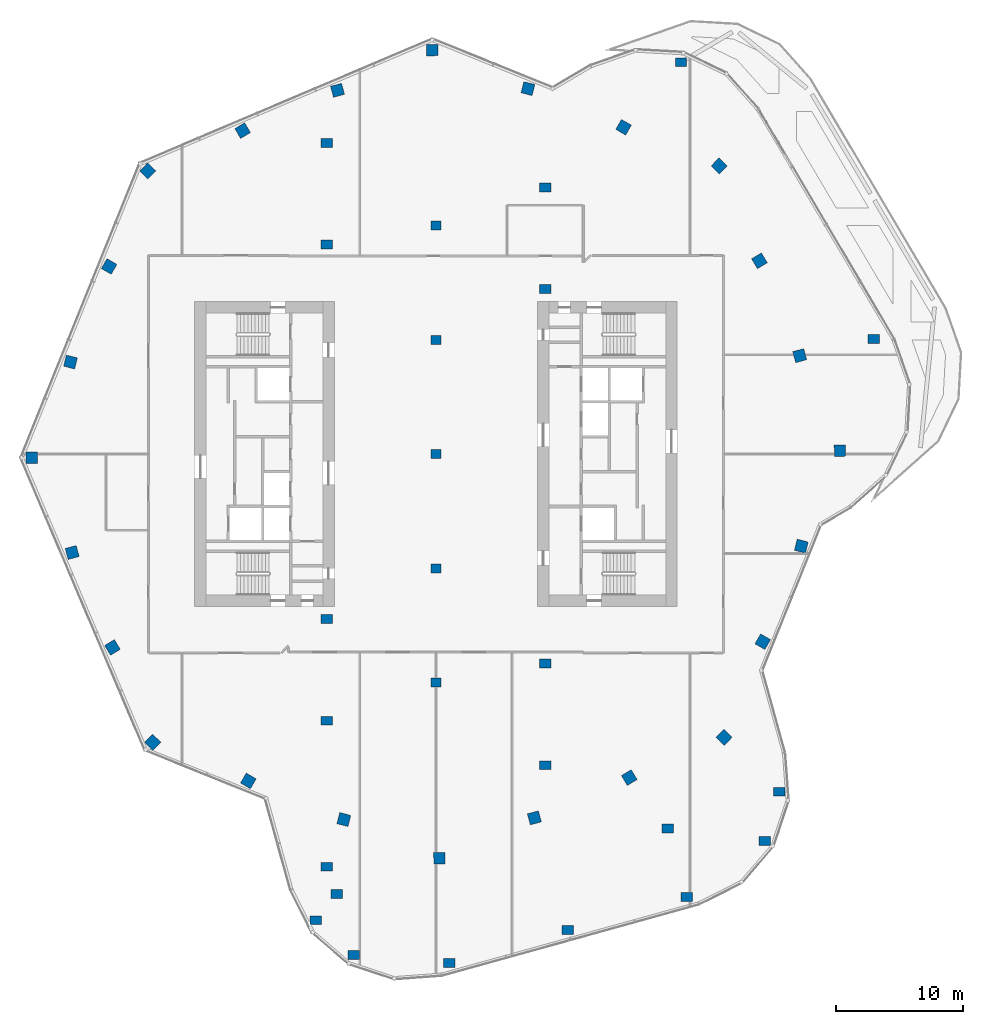
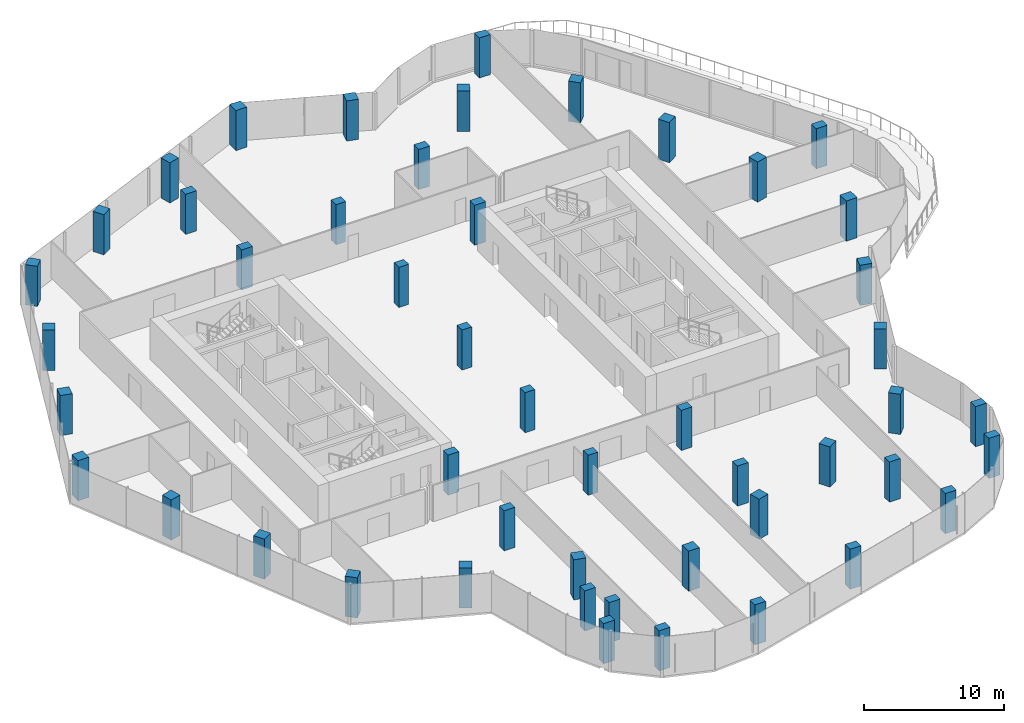
# One storey, part 1 of 17: 49 columns.
"""IFC4 building model written with IfcOpenShell, lengths in metres."""

from ifc_helpers import new_model, si_unit, direction, frame, origin, origin_2d, place, context, subcontext, project, spatial, rectangle, extrude, material, material_profile, profile_set, type_object, element, save


model = new_model("IFC4")

# Units and contexts
model_context = context("Model", 3, precision=1e-05, world=origin(), true_north=direction((0.0, 1.0)))
body_context = subcontext(model_context, "Body", "Model", "MODEL_VIEW")
ifc_project = project(units=[si_unit("LENGTHUNIT", "METRE"), si_unit("AREAUNIT", "SQUARE_METRE"), si_unit("VOLUMEUNIT", "CUBIC_METRE"), si_unit("PLANEANGLEUNIT", "RADIAN"), si_unit("MASSUNIT", "GRAM", prefix="KILO")], contexts=[model_context])

# Site, building, storey
site_placement = place(None, origin())
site = spatial("IfcSite", under=ifc_project, at=site_placement, CompositionType="ELEMENT")
building_placement = place(site_placement, origin())
building = spatial("IfcBuilding", under=site, at=building_placement, Name="Orlundy Tower", CompositionType="ELEMENT")
storey_placement = place(building_placement, frame((0.0, 0.0, 289.39990234375)))
storey = spatial("IfcBuildingStorey", under=building, at=storey_placement, Name="L77", CompositionType="ELEMENT", Elevation=289.39990234375)

# Columns
ifc_material_1 = material(Name="Concrete C50/60", Category="concrete")
ifc_material_profile_1 = material_profile(ifc_material_1, rectangle(XDim=0.800048828125, YDim=0.699951171875, at=origin_2d()), Name="RC800X700")
ifc_profile_set_1 = profile_set([ifc_material_profile_1], Name="Concrete C50/60")
column_type_1 = type_object("IfcColumnType", Name="RC COLUMN RC800X700 C50/60", PredefinedType="COLUMN", material=ifc_profile_set_1)
for number, where, z_axis, x_axis, name in (
    (1, (0.0, -18.0, 0.0), (0.0, 0.0, 1.0), (1.0, 0.0, 0.0), "Column C-M1 L77"),
    (2, (0.0, -9.0, 0.0), (0.0, 0.0, 1.0), (1.0, 0.0, 0.0), "Column C-M2 L77"),
    (3, (0.0, 0.0, 0.0), (0.0, 0.0, 1.0), (1.0, 0.0, 0.0), "Column C-M3 L77"),
    (4, (0.0, 9.0, 0.0), (0.0, 0.0, 1.0), (1.0, 0.0, 0.0), "Column C-M4 L77"),
    (5, (0.0, 18.0, 0.0), (0.0, 0.0, 1.0), (1.0, 0.0, 0.0), "Column C-M5 L77"),
):
    element("IfcColumn", number, at=place(storey_placement, frame(where, z_axis=z_axis, x_axis=x_axis)), inside=storey, type_object=column_type_1, Name=name, PredefinedType="COLUMN", context=body_context, shape_type="SweptSolid", body=[
        extrude(rectangle(XDim=0.800048828125, YDim=0.699951171875, at=origin_2d()), origin(), (0.0, 0.0, 1.0), 3.5),
    ])
ifc_material_2 = material(Name="Concrete C50/60", Category="concrete")
ifc_material_profile_2 = material_profile(ifc_material_2, rectangle(XDim=0.89990234375, YDim=0.699951171875, at=origin_2d()), Name="RC900X700")
ifc_profile_set_2 = profile_set([ifc_material_profile_2], Name="Concrete C50/60")
column_type_2 = type_object("IfcColumnType", Name="RC COLUMN RC900X700 C50/60", PredefinedType="COLUMN", material=ifc_profile_set_2)
for number, where, z_axis, x_axis, name in (
    (6, (34.47705078125, 9.051025390625, 0.0), (0.0, 0.0, 1.0), (1.0, 0.0, 0.0), "Column C-A2-6 L77"),
    (7, (19.302001953125, 30.860107421875, 0.0), (0.0, 0.0, 1.0), (1.0, 0.0, 0.0), "Column C-A5-6 L77"),
    (8, (-9.468017578125, -36.7080078125, 0.0), (0.0, 0.0, 1.0), (1.0, 0.0, 0.0), "Column C-B1-1 L77"),
    (9, (-6.48388671875, -39.4609375, 0.0), (0.0, 0.0, 1.0), (1.0, 0.0, 0.0), "Column C-B1-5 L77"),
    (10, (-7.820068359375, -34.64306640625, 0.0), (0.0, 0.0, 1.0), (1.0, 0.0, 0.0), "Column C-B1-6 L77"),
    (11, (1.048095703125, -40.076904296875, 0.0), (0.0, 0.0, 1.0), (1.0, 0.0, 0.0), "Column C-B2-5 L77"),
    (12, (10.39599609375, -37.485107421875, 0.0), (0.0, 0.0, 1.0), (1.0, 0.0, 0.0), "Column C-B3-5 L77"),
    (13, (19.742919921875, -34.89306640625, 0.0), (0.0, 0.0, 1.0), (1.0, 0.0, 0.0), "Column C-B4-5 L77"),
    (14, (18.24609375, -29.4970703125, 0.0), (0.0, 0.0, 1.0), (1.0, 0.0, 0.0), "Column C-B4-6 L77"),
    (15, (27.02197265625, -26.589111328125, 0.0), (0.0, 0.0, 1.0), (1.0, 0.0, 0.0), "Column C-B5-1 L77"),
    (16, (25.881103515625, -30.485107421875, 0.0), (0.0, 0.0, 1.0), (1.0, 0.0, 0.0), "Column C-B5-5 L77"),
    (17, (8.60009765625, -24.5, 0.0), (0.0, 0.0, 1.0), (1.0, 0.0, 0.0), "Column C-SE2 L77"),
    (18, (8.60009765625, -16.5, 0.0), (0.0, 0.0, 1.0), (1.0, 0.0, 0.0), "Column C-SE3 L77"),
    (19, (8.60009765625, 13.0, 0.0), (0.0, 0.0, 1.0), (1.0, 0.0, 0.0), "Column C-SE4 L77"),
    (20, (8.60009765625, 21.0, 0.0), (0.0, 0.0, 1.0), (1.0, 0.0, 0.0), "Column C-SE5 L77"),
    (21, (-8.60009765625, 24.5, 0.0), (0.0, 0.0, 1.0), (1.0, 0.0, 0.0), "Column C-SW1 L77"),
    (22, (-8.60009765625, 16.5, 0.0), (0.0, 0.0, 1.0), (1.0, 0.0, 0.0), "Column C-SW2 L77"),
    (23, (-8.60009765625, -13.0, 0.0), (0.0, 0.0, 1.0), (1.0, 0.0, 0.0), "Column C-SW3 L77"),
    (24, (-8.60009765625, -21.0, 0.0), (0.0, 0.0, 1.0), (1.0, 0.0, 0.0), "Column C-SW4 L77"),
    (25, (-8.60009765625, -32.5, 0.0), (0.0, 0.0, 1.0), (1.0, 0.0, 0.0), "Column C-SW5 L77"),
):
    element("IfcColumn", number, at=place(storey_placement, frame(where, z_axis=z_axis, x_axis=x_axis)), inside=storey, type_object=column_type_2, Name=name, PredefinedType="COLUMN", context=body_context, shape_type="SweptSolid", body=[
        extrude(rectangle(XDim=0.89990234375, YDim=0.699951171875, at=origin_2d()), origin(), (0.0, 0.0, 1.0), 3.5),
    ])
ifc_material_3 = material(Name="Concrete C50/60", Category="concrete")
ifc_material_profile_3 = material_profile(ifc_material_3, rectangle(XDim=0.89990234375, YDim=0.89990234375, at=origin_2d()), Name="RC900X900")
ifc_profile_set_3 = profile_set([ifc_material_profile_3], Name="Concrete C50/60")
column_type_3 = type_object("IfcColumnType", Name="RC COLUMN RC900X900 C50/60", PredefinedType="COLUMN", material=ifc_profile_set_3)
for number, where, z_axis, x_axis, name in (
    (26, (-0.278076171875, 31.821044921875, 0.0), (0.0, 0.0, 1.0), (-0.008743988125, 0.999961770605, 0.0), "Column C-H01 L77"),
    (27, (7.25, 28.780029296875, 0.0), (0.0, 0.0, 1.0), (0.244275126238, 0.969705967137, 0.0), "Column C-H02 L77"),
    (28, (14.777099609375, 25.739013671875, 0.0), (0.0, 0.0, 1.0), (0.49789754642, 0.867235857924, 0.0), "Column C-H03 L77"),
    (29, (22.304931640625, 22.697021484375, 0.0), (0.0, 0.0, 1.0), (0.700921712762, 0.713238215871, 0.0), "Column C-H04 L77"),
    (30, (25.47705078125, 15.22412109375, 0.0), (0.0, 0.0, 1.0), (0.858414263358, 0.512957066881, 0.0), "Column C-H05 L77"),
    (31, (28.64892578125, 7.7509765625, 0.0), (0.0, 0.0, 1.0), (0.965295087436, 0.261161624617, 0.0), "Column C-H06 L77"),
    (32, (31.821044921875, 0.278076171875, 0.0), (0.0, 0.0, 1.0), (0.999961770605, 0.008743988125, 0.0), "Column C-H07 L77"),
    (33, (28.780029296875, -7.25, 0.0), (0.0, 0.0, 1.0), (0.969705967137, -0.244275126238, 0.0), "Column C-H08 L77"),
    (34, (25.739013671875, -14.777099609375, 0.0), (0.0, 0.0, 1.0), (0.867235857924, -0.49789754642, 0.0), "Column C-H09 L77"),
    (35, (22.697021484375, -22.304931640625, 0.0), (0.0, 0.0, 1.0), (0.713238215871, -0.700921712762, 0.0), "Column C-H10 L77"),
    (36, (15.22412109375, -25.47705078125, 0.0), (0.0, 0.0, 1.0), (0.512957066881, -0.858414263358, 0.0), "Column C-H11 L77"),
    (37, (7.7509765625, -28.64892578125, 0.0), (0.0, 0.0, 1.0), (0.261161624617, -0.965295087436, 0.0), "Column C-H12 L77"),
    (38, (0.278076171875, -31.821044921875, 0.0), (0.0, 0.0, 1.0), (0.008743988125, -0.999961770605, 0.0), "Column C-H13 L77"),
    (39, (-7.25, -28.780029296875, 0.0), (0.0, 0.0, 1.0), (-0.244275126238, -0.969705967137, 0.0), "Column C-H14 L77"),
    (40, (-14.777099609375, -25.739013671875, 0.0), (0.0, 0.0, 1.0), (-0.49789754642, -0.867235857924, 0.0), "Column C-H15 L77"),
    (41, (-22.304931640625, -22.697021484375, 0.0), (0.0, 0.0, 1.0), (-0.700921712762, -0.713238215871, 0.0), "Column C-H16 L77"),
    (42, (-25.47705078125, -15.22412109375, 0.0), (0.0, 0.0, 1.0), (-0.858414263358, -0.512957066881, 0.0), "Column C-H17 L77"),
    (43, (-28.64892578125, -7.7509765625, 0.0), (0.0, 0.0, 1.0), (-0.965295087436, -0.261161624617, 0.0), "Column C-H18 L77"),
    (44, (-31.821044921875, -0.278076171875, 0.0), (0.0, 0.0, 1.0), (-0.999961770605, -0.008743988125, 0.0), "Column C-H19 L77"),
    (45, (-28.780029296875, 7.25, 0.0), (0.0, 0.0, 1.0), (-0.969705967137, 0.244275126238, 0.0), "Column C-H20 L77"),
    (46, (-25.739013671875, 14.777099609375, 0.0), (0.0, 0.0, 1.0), (-0.867235857924, 0.49789754642, 0.0), "Column C-H21 L77"),
    (47, (-22.697021484375, 22.304931640625, 0.0), (0.0, 0.0, 1.0), (-0.713238215871, 0.700921712762, 0.0), "Column C-H22 L77"),
    (48, (-15.22412109375, 25.47705078125, 0.0), (0.0, 0.0, 1.0), (-0.512957066881, 0.858414263358, 0.0), "Column C-H23 L77"),
    (49, (-7.7509765625, 28.64892578125, 0.0), (0.0, 0.0, 1.0), (-0.261161624617, 0.965295087436, 0.0), "Column C-H24 L77"),
):
    element("IfcColumn", number, at=place(storey_placement, frame(where, z_axis=z_axis, x_axis=x_axis)), inside=storey, type_object=column_type_3, Name=name, PredefinedType="COLUMN", context=body_context, shape_type="SweptSolid", body=[
        extrude(rectangle(XDim=0.89990234375, YDim=0.89990234375, at=origin_2d()), origin(), (0.0, 0.0, 1.0), 3.5),
    ])

save(model, "model.ifc")
